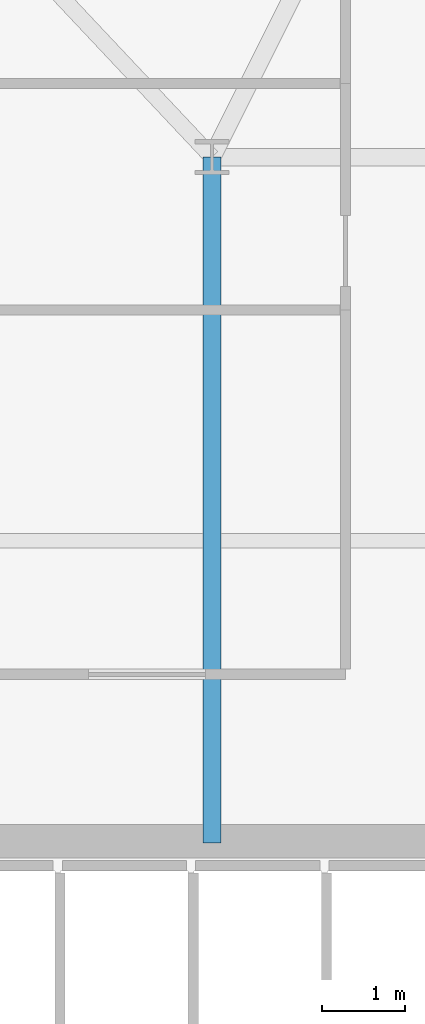
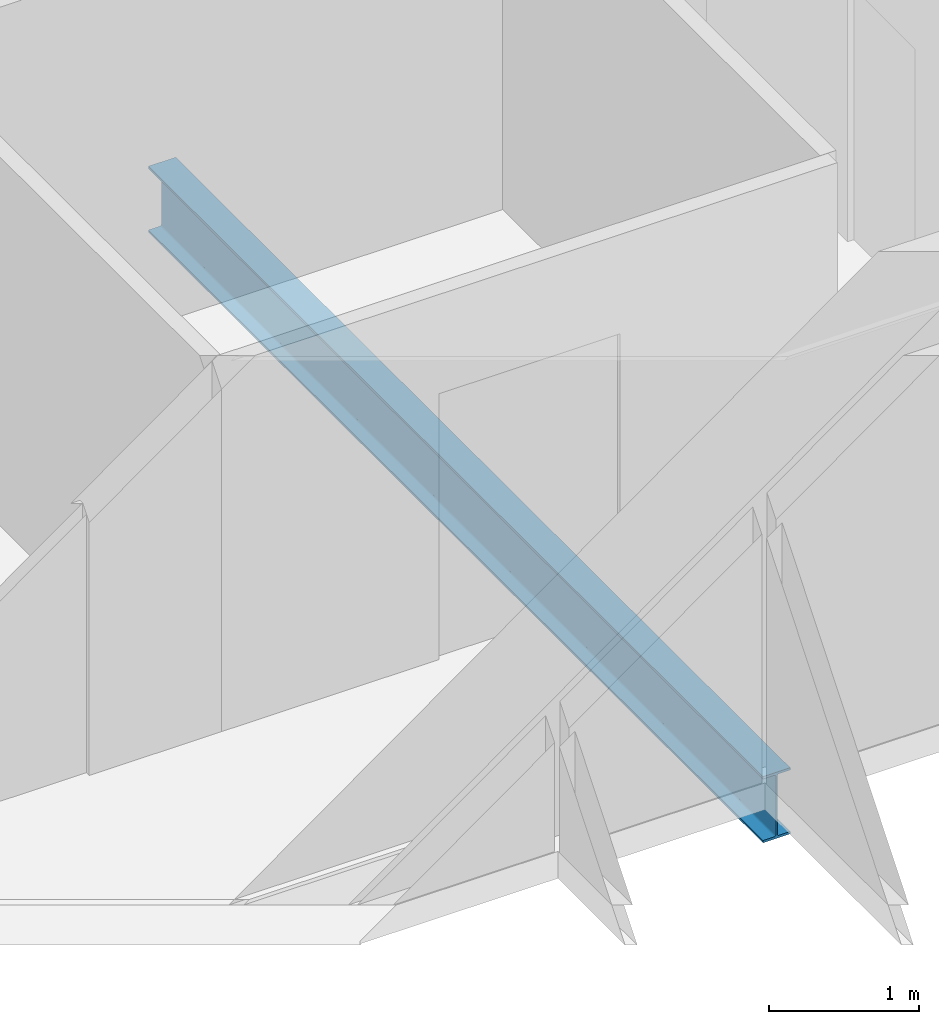
# One storey, part 6 of 35: 1 beam.
"""IFC4 building model written with IfcOpenShell, lengths in metres."""

import ifcopenshell
import ifcopenshell.guid

model = None  # the IFC model being written
_history = None  # IfcOwnerHistory: only IFC2X3 demands one
_inside = {}  # id of a spatial element -> (the spatial element, [elements in it])
_under = {}  # id of a project, library or spatial element -> (it, [spatial elements below it])
_declared = {}  # id of a project -> (the project, [libraries it declares])
_typed = {}  # id of a type object -> (the type object, [elements of that type])
_made_of = {}  # id of a material, layer set ... -> (it, [elements and type objects made of it])


def new_model(schema):
    """Start an empty IFC model of exactly this schema.

    Asked for "IFC4X3", IfcOpenShell would pick the latest addendum, in which some entities
    have other attributes; the version numbers below select the first issue.
    IFC2X3 requires an IfcOwnerHistory on every rooted entity: one is made here for all.
    """
    global model, _history
    if schema == "IFC4X3":
        model = ifcopenshell.file(schema_version=(4, 3, 0, 0))
    else:
        model = ifcopenshell.file(schema=schema)
    _inside.clear()
    _under.clear()
    _declared.clear()
    _typed.clear()
    _made_of.clear()
    _history = None
    if model.schema == "IFC2X3":
        org = make("IfcOrganization", Name="unknown")
        user = make(
            "IfcPersonAndOrganization",
            ThePerson=make("IfcPerson", FamilyName="unknown"),
            TheOrganization=org,
        )
        app = make(
            "IfcApplication",
            ApplicationDeveloper=org,
            Version="unknown",
            ApplicationFullName="unknown",
            ApplicationIdentifier="unknown",
        )
        _history = make(
            "IfcOwnerHistory",
            OwningUser=user,
            OwningApplication=app,
            ChangeAction="ADDED",
            CreationDate=0,
        )
    return model


def make(cls, **values):
    """One entity of the class cls with the attributes given. An attribute that is None is left unset."""
    return model.create_entity(
        cls, **{name: value for name, value in values.items() if value is not None}
    )


def rooted(cls, **values):
    """An entity with a GlobalId (a new one), such as an element, a storey or a relation."""
    return make(cls, GlobalId=ifcopenshell.guid.new(), OwnerHistory=_history, **values)


def si_unit(unit_type, name, prefix=None):
    """IfcSIUnit, for example si_unit("LENGTHUNIT", "METRE", prefix="MILLI")."""
    return make("IfcSIUnit", UnitType=unit_type, Prefix=prefix, Name=name)


def assignment(units):
    """IfcUnitAssignment: the units of a project."""
    return None if units is None else make("IfcUnitAssignment", Units=units)


def point(xyz):
    """IfcCartesianPoint."""
    return None if xyz is None else make("IfcCartesianPoint", Coordinates=xyz)


def direction(xyz):
    """IfcDirection."""
    return None if xyz is None else make("IfcDirection", DirectionRatios=xyz)


def frame(location, z_axis=None, x_axis=None):
    """IfcAxis2Placement3D, a coordinate frame: its origin and axes. An axis left out is left unset."""
    return make(
        "IfcAxis2Placement3D",
        Location=point(location),
        Axis=direction(z_axis),
        RefDirection=direction(x_axis),
    )


def frame_2d(location, x_axis=None):
    """IfcAxis2Placement2D, a coordinate frame in the plane: its origin and x axis."""
    return make(
        "IfcAxis2Placement2D", Location=point(location), RefDirection=direction(x_axis)
    )


def origin():
    """The frame at (0, 0, 0) with its axes left unset."""
    return frame((0.0, 0.0, 0.0))


def origin_2d():
    """The frame at (0, 0) in the plane with its x axis left unset."""
    return frame_2d((0.0, 0.0))


def place(relative_to, where):
    """IfcLocalPlacement: puts the frame where relative to a parent placement (None: the world)."""
    return make(
        "IfcLocalPlacement", PlacementRelTo=relative_to, RelativePlacement=where
    )


def context(
    kind, dimensions, precision=None, world=None, true_north=None, identifier=None
):
    """IfcGeometricRepresentationContext, for example the 3D "Model" context."""
    return make(
        "IfcGeometricRepresentationContext",
        ContextIdentifier=identifier,
        ContextType=kind,
        CoordinateSpaceDimension=dimensions,
        Precision=precision,
        WorldCoordinateSystem=world,
        TrueNorth=true_north,
    )


def subcontext(parent, identifier, kind, view, scale=None):
    """IfcGeometricRepresentationSubContext, for example "Body" below "Model"."""
    return make(
        "IfcGeometricRepresentationSubContext",
        ContextIdentifier=identifier,
        ContextType=kind,
        ParentContext=parent,
        TargetScale=scale,
        TargetView=view,
    )


def project(units=None, contexts=None):
    """IfcProject with its units and contexts."""
    return rooted(
        "IfcProject",
        Name="project",
        RepresentationContexts=contexts,
        UnitsInContext=assignment(units),
    )


def spatial(cls, under=None, at=None, **own):
    """A site, building, storey or space (cls), placed at a placement, below another one or the project."""
    s = rooted(cls, ObjectPlacement=at, **own)
    if under is not None:
        _under.setdefault(under.id(), (under, []))[1].append(s)
    return s


def profile(cls, at=None, kind="AREA", **sizes):
    """A parametric profile (cls). Its sizes go by their IFC names, for example OverallWidth=200.0."""
    return make(cls, ProfileType=kind, Position=at, **sizes)


def i_section(**sizes):
    """IfcIShapeProfileDef."""
    return profile("IfcIShapeProfileDef", **sizes)


def extrude(swept, where, along, depth):
    """IfcExtrudedAreaSolid: the profile swept, set in the frame where, extruded along a direction by depth."""
    return make(
        "IfcExtrudedAreaSolid",
        SweptArea=swept,
        Position=where,
        ExtrudedDirection=direction(along),
        Depth=depth,
    )


def shape(context_of_items, identifier, shape_type, items):
    """IfcShapeRepresentation: the items that make up one representation, for example the "Body"."""
    return make(
        "IfcShapeRepresentation",
        ContextOfItems=context_of_items,
        RepresentationIdentifier=identifier,
        RepresentationType=shape_type,
        Items=items,
    )


def material(Name=None, Category=None):
    """IfcMaterial."""
    return make("IfcMaterial", Name=Name, Category=Category)


def material_profile(
    of_material, cross_section, Name=None, Category=None, Priority=None
):
    """IfcMaterialProfile: a cross section and its material."""
    return make(
        "IfcMaterialProfile",
        Name=Name,
        Material=of_material,
        Profile=cross_section,
        Priority=Priority,
        Category=Category,
    )


def profile_set(profiles, Name=None, composite=None):
    """IfcMaterialProfileSet."""
    return make(
        "IfcMaterialProfileSet",
        Name=Name,
        MaterialProfiles=profiles,
        CompositeProfile=composite,
    )


def made_of(thing, what):
    """Note that an element or type object is made of a material, layer set ...; save() writes the relation."""
    if what is not None:
        _made_of.setdefault(what.id(), (what, []))[1].append(thing)
    return thing


def type_object(cls, material=None, **own):
    """A type object (cls), such as IfcWallType, which elements share."""
    return made_of(rooted(cls, **own), material)


def element(
    cls,
    number,
    at=None,
    inside=None,
    cuts=None,
    type_object=None,
    material=None,
    context=None,
    identifier="Body",
    shape_type=None,
    held_by="IfcProductDefinitionShape",
    body=None,
    shapes=None,
    **own,
):
    """One element of the class cls, such as IfcWall. Its Tag is "e" and its number.

    at: its placement. inside: the storey or other place that contains it. cuts: it is an
    opening in that element (IfcRelVoidsElement). A single representation is given by context,
    identifier, shape_type and body (its items); several are given by shapes. held_by: the class
    of the entity that holds the representations. save() writes the other relations.
    """
    e = rooted(cls, Tag="e%d" % number, ObjectPlacement=at, **own)
    if body is not None:
        shapes = [shape(context, identifier, shape_type, body)]
    if shapes is not None:
        e.Representation = make(held_by, Representations=shapes)
    if inside is not None:
        _inside.setdefault(inside.id(), (inside, []))[1].append(e)
    if cuts is not None:
        rooted(
            "IfcRelVoidsElement", RelatingBuildingElement=cuts, RelatedOpeningElement=e
        )
    if type_object is not None:
        _typed.setdefault(type_object.id(), (type_object, []))[1].append(e)
    return made_of(e, material)


def aggregate(whole, parts):
    """IfcRelAggregates: a whole, such as a stair, and the parts it consists of."""
    return rooted("IfcRelAggregates", RelatingObject=whole, RelatedObjects=parts)


def save(model, path):
    """Write the relations noted so far, then the file.

    IfcRelAggregates (storeys below a building ...), IfcRelContainedInSpatialStructure (elements
    in a storey), IfcRelDefinesByType, IfcRelAssociatesMaterial and IfcRelDeclares: one each for
    every whole, place, type object, material and project.
    """
    for whole, parts in _under.values():
        aggregate(whole, parts)
    for where, things in _inside.values():
        rooted(
            "IfcRelContainedInSpatialStructure",
            RelatedElements=things,
            RelatingStructure=where,
        )
    for kind, things in _typed.values():
        rooted("IfcRelDefinesByType", RelatedObjects=things, RelatingType=kind)
    for what, things in _made_of.values():
        rooted("IfcRelAssociatesMaterial", RelatedObjects=things, RelatingMaterial=what)
    for by, libraries in _declared.values():
        rooted("IfcRelDeclares", RelatingContext=by, RelatedDefinitions=libraries)
    model.write(path)


model = new_model("IFC4")

# Units and contexts
model_context = context("Model", 3, precision=1e-05, world=origin(), true_north=direction((0.0, 1.0)))
body_context = subcontext(model_context, "Body", "Model", "MODEL_VIEW")
ifc_project = project(units=[si_unit("LENGTHUNIT", "METRE"), si_unit("AREAUNIT", "SQUARE_METRE"), si_unit("VOLUMEUNIT", "CUBIC_METRE"), si_unit("PLANEANGLEUNIT", "RADIAN"), si_unit("MASSUNIT", "GRAM", prefix="KILO")], contexts=[model_context])

# Site, building, storey
site_placement = place(None, origin())
site = spatial("IfcSite", under=ifc_project, at=site_placement, CompositionType="ELEMENT")
building_placement = place(site_placement, origin())
building = spatial("IfcBuilding", under=site, at=building_placement, Name="Ndaravel Arena Tower", CompositionType="ELEMENT")
storey_placement = place(building_placement, frame((0.0, 0.0, 176.39990234375)))
storey = spatial("IfcBuildingStorey", under=building, at=storey_placement, Name="L42", CompositionType="ELEMENT", Elevation=176.39990234375)

# Beam
ifc_material = material(Name="Steel S355", Category="steel")
ifc_material_profile = material_profile(ifc_material, i_section(OverallWidth=0.210693359375, OverallDepth=0.53955078125, WebThickness=0.01171875, FlangeThickness=0.018798828125, FilletRadius=0.0126953125, at=origin_2d()), Name="UB 533x210x109")
ifc_profile_set = profile_set([ifc_material_profile], Name="Steel S355")
beam_type = type_object("IfcBeamType", Name="BM-GIRD-UB533", PredefinedType="BEAM", material=ifc_profile_set)
beam_placement = place(storey_placement, frame((34.199951171875, 14.97998046875, -0.489501953125), z_axis=(0.0, 1.0, 0.0), x_axis=(-1.0, 0.0, 0.0)))
element("IfcBeam", 1, at=beam_placement, inside=storey, type_object=beam_type, Name="L42 Spine Link Girder SLG-01", PredefinedType="BEAM", context=body_context, shape_type="SweptSolid", body=[
    extrude(i_section(OverallWidth=0.210693359375, OverallDepth=0.53955078125, WebThickness=0.01171875, FlangeThickness=0.018798828125, FilletRadius=0.0126953125, at=origin_2d()), origin(), (0.0, 0.0, 1.0), 8.219970703125),
])

save(model, "model.ifc")
